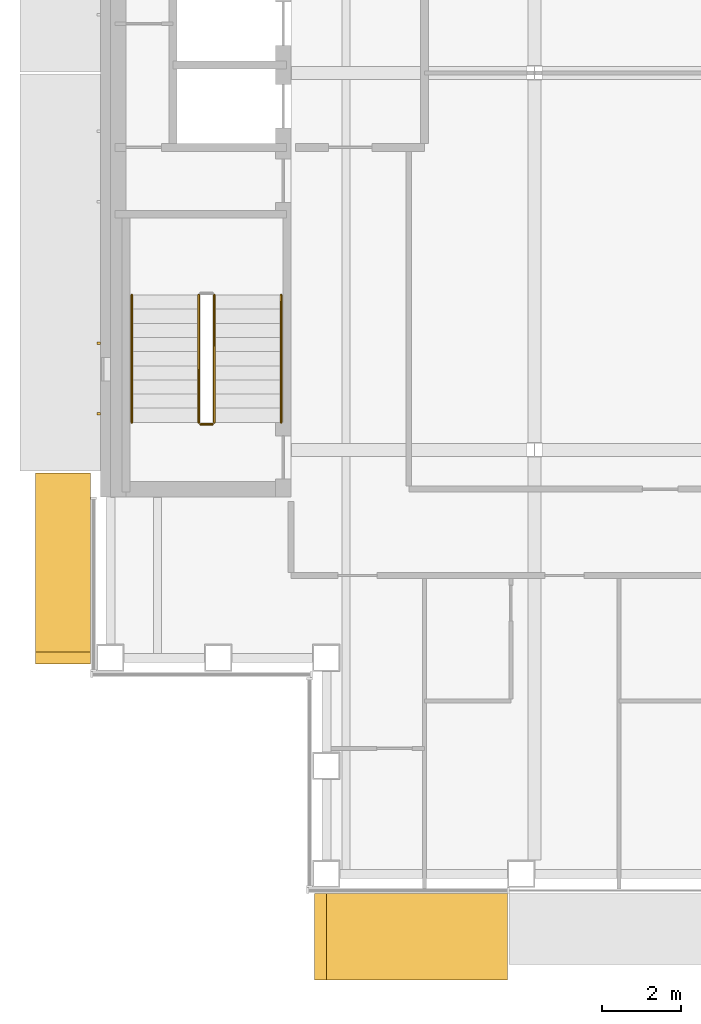
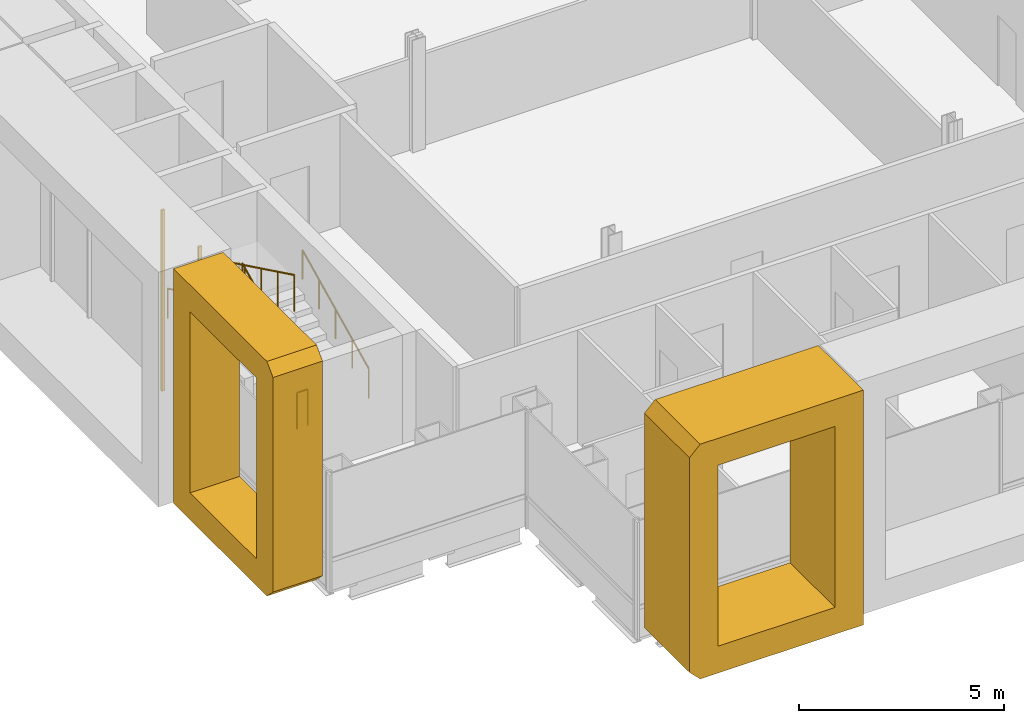
# One storey, part 13 of 19: 5 railings, 4 coverings.
"""IFC4 building model written with IfcOpenShell, lengths in metres."""

from ifc_helpers import new_model, si_unit, direction, frame, origin, origin_2d, place, context, subcontext, project, spatial, polyline, rectangle, circle, outline, extrude, material, type_object, element, save


model = new_model("IFC4")

# Units and contexts
model_context = context("Model", 3, precision=1e-05, world=origin(), true_north=direction((0.0, 1.0)))
body_context = subcontext(model_context, "Body", "Model", "MODEL_VIEW")
ifc_project = project(units=[si_unit("LENGTHUNIT", "METRE"), si_unit("AREAUNIT", "SQUARE_METRE"), si_unit("VOLUMEUNIT", "CUBIC_METRE"), si_unit("PLANEANGLEUNIT", "RADIAN"), si_unit("MASSUNIT", "GRAM", prefix="KILO")], contexts=[model_context])

# Site, building, storey
site_placement = place(None, origin())
site = spatial("IfcSite", under=ifc_project, at=site_placement, CompositionType="ELEMENT")
building_placement = place(site_placement, origin())
building = spatial("IfcBuilding", under=site, at=building_placement, Name="Cobrizo Arcos Hotel Tower", CompositionType="ELEMENT")
storey_placement = place(building_placement, frame((0.0, 0.0, 198.0)))
storey = spatial("IfcBuildingStorey", under=building, at=storey_placement, Name="L51", CompositionType="ELEMENT", Elevation=198.0)

# Coverings
ifc_material_1 = material(Name="Aluminium 6063-T6 anodised bronze", Category="aluminium")
covering_type_1 = type_object("IfcCoveringType", Name="FIN-F 1400", PredefinedType="CLADDING", material=ifc_material_1)
covering_1_placement = place(storey_placement, frame((-20.89990234375, -10.191650390625, 0.0), z_axis=(-1.0, 0.0, 0.0), x_axis=(0.0, -1.0, 0.0)))
element("IfcCovering", 1, at=covering_1_placement, inside=storey, type_object=covering_type_1, Name="Fin frame 348", PredefinedType="CLADDING", context=body_context, shape_type="SweptSolid", body=[
    extrude(outline(polyline([(0.0, 7.0), (0.0, 0.0), (4.558349609375, 0.0), (4.8583984375, 0.300048828125), (4.8583984375, 6.699951171875), (4.558349609375, 7.0), (0.0, 7.0)]), holes=[polyline([(4.058349609375, 0.800048828125), (0.800048828125, 0.800048828125), (0.800048828125, 6.199951171875), (4.058349609375, 6.199951171875), (4.058349609375, 0.800048828125)])]), origin(), (0.0, 0.0, 1.0), 1.400146484375),
])
covering_type_2 = type_object("IfcCoveringType", Name="FIN-F 2200", PredefinedType="CLADDING", material=ifc_material_1)
covering_2_placement = place(storey_placement, frame((-15.199951171875, -20.89990234375, 0.0), z_axis=(0.0, -1.0, 0.0), x_axis=(1.0, 0.0, 0.0)))
element("IfcCovering", 2, at=covering_2_placement, inside=storey, type_object=covering_type_2, Name="Fin frame 327", PredefinedType="CLADDING", context=body_context, shape_type="SweptSolid", body=[
    extrude(outline(polyline([(0.0, 0.300048828125), (0.300048828125, 0.0), (4.908203125, 0.0), (4.908203125, 7.0), (0.300048828125, 7.0), (0.0, 6.699951171875), (0.0, 0.300048828125)]), holes=[polyline([(4.1083984375, 0.800048828125), (0.800048828125, 0.800048828125), (0.800048828125, 6.199951171875), (4.1083984375, 6.199951171875), (4.1083984375, 0.800048828125)])]), origin(), (0.0, 0.0, 1.0), 2.2001953125),
])
ifc_material_2 = material(Name="Aluminium 6063-T6 anodised pale", Category="aluminium")
covering_type_3 = type_object("IfcCoveringType", Name="RS-1 rainscreen rib 60x90", PredefinedType="CLADDING", material=ifc_material_2)
for number, where, z_axis, x_axis, name in (
    (3, (-20.695068359375, -6.88330078125, 0.800048828125), (0.0, 0.0, 1.0), (0.0, -1.0, 0.0), "Rainscreen rib 223"),
    (4, (-20.695068359375, -8.683349609375, 0.800048828125), (0.0, 0.0, 1.0), (0.0, -1.0, 0.0), "Rainscreen rib 224"),
):
    element("IfcCovering", number, at=place(storey_placement, frame(where, z_axis=z_axis, x_axis=x_axis)), inside=storey, type_object=covering_type_3, Name=name, PredefinedType="CLADDING", context=body_context, shape_type="SweptSolid", body=[
        extrude(rectangle(XDim=0.06005859375, YDim=0.090087890625, at=origin_2d()), origin(), (0.0, 0.0, 1.0), 5.39990234375),
    ])

# Railings
ifc_material_3 = material(Name="Stainless steel railing", Category="steel")
railing_type_1 = type_object("IfcRailingType", Name="Stair guard 1100", PredefinedType="GUARDRAIL", material=ifc_material_3)
railing_1_placement = place(storey_placement, frame((-17.75, -8.89990234375, 0.175048828125)))
element("IfcRailing", 5, at=railing_1_placement, inside=storey, type_object=railing_type_1, Name="L51 ST-W stair guard 1", PredefinedType="GUARDRAIL", context=body_context, shape_type="SweptSolid", body=[
    extrude(circle(Radius=0.02392578125, at=origin_2d()), frame((0.0, 0.0, 1.076171875), z_axis=(0.0, 0.899372665325, 0.437182809435), x_axis=(-1.0, 0.0, 0.0)), (0.0, 0.0, 1.0), 3.6025390625),
    extrude(circle(Radius=0.02099609375, at=origin_2d()), origin(), (0.0, 0.0, 1.0), 1.052001953125),
    extrude(circle(Radius=0.02099609375, at=origin_2d()), frame((0.0, 0.81005859375, 0.393798828125)), (0.0, 0.0, 1.0), 1.052001953125),
    extrude(circle(Radius=0.02099609375, at=origin_2d()), frame((0.0, 1.6201171875, 0.78759765625)), (0.0, 0.0, 1.0), 1.052001953125),
    extrude(circle(Radius=0.02099609375, at=origin_2d()), frame((0.0, 2.429931640625, 1.18115234375)), (0.0, 0.0, 1.0), 1.052001953125),
    extrude(circle(Radius=0.02099609375, at=origin_2d()), frame((0.0, 3.239990234375, 1.574951171875)), (0.0, 0.0, 1.0), 1.052001953125),
])
railing_2_placement = place(storey_placement, frame((-18.14990234375, -5.659912109375, 1.925048828125)))
element("IfcRailing", 6, at=railing_2_placement, inside=storey, type_object=railing_type_1, Name="L51 ST-W stair guard 3", PredefinedType="GUARDRAIL", context=body_context, shape_type="SweptSolid", body=[
    extrude(circle(Radius=0.02392578125, at=origin_2d()), frame((0.0, 0.0, 1.076171875), z_axis=(0.0, -0.899372665325, 0.437182809435), x_axis=(1.0, 0.0, 0.0)), (0.0, 0.0, 1.0), 3.6025390625),
    extrude(circle(Radius=0.02099609375, at=origin_2d()), origin(), (0.0, 0.0, 1.0), 1.052001953125),
    extrude(circle(Radius=0.02099609375, at=origin_2d()), frame((0.0, -0.81005859375, 0.393798828125)), (0.0, 0.0, 1.0), 1.052001953125),
    extrude(circle(Radius=0.02099609375, at=origin_2d()), frame((0.0, -1.6201171875, 0.78759765625)), (0.0, 0.0, 1.0), 1.052001953125),
    extrude(circle(Radius=0.02099609375, at=origin_2d()), frame((0.0, -2.429931640625, 1.18115234375)), (0.0, 0.0, 1.0), 1.052001953125),
    extrude(circle(Radius=0.02099609375, at=origin_2d()), frame((0.0, -3.239990234375, 1.574951171875)), (0.0, 0.0, 1.0), 1.052001953125),
])
railing_3_placement = place(storey_placement, frame((-17.800048828125, -8.949951171875, 0.0)))
element("IfcRailing", 7, at=railing_3_placement, inside=storey, type_object=railing_type_1, Name="L51 ST-W stair guard 4", PredefinedType="GUARDRAIL", context=body_context, shape_type="SweptSolid", body=[
    extrude(circle(Radius=0.02392578125, at=origin_2d()), frame((0.0, 0.0, 1.076171875), z_axis=(-1.0, 0.0, 0.0), x_axis=(0.0, -1.0, 0.0)), (0.0, 0.0, 1.0), 0.300048828125),
    extrude(circle(Radius=0.02099609375, at=origin_2d()), origin(), (0.0, 0.0, 1.0), 1.052001953125),
    extrude(circle(Radius=0.02099609375, at=origin_2d()), frame((-0.300048828125, 0.0, 0.0)), (0.0, 0.0, 1.0), 1.052001953125),
])
railing_type_2 = type_object("IfcRailingType", Name="Stair handrail", PredefinedType="HANDRAIL", material=ifc_material_3)
railing_4_placement = place(storey_placement, frame((-16.050048828125, -8.89990234375, 0.175048828125)))
element("IfcRailing", 8, at=railing_4_placement, inside=storey, type_object=railing_type_2, Name="L51 ST-W stair handrail 1", PredefinedType="HANDRAIL", context=body_context, shape_type="SweptSolid", body=[
    extrude(circle(Radius=0.02392578125, at=origin_2d()), frame((0.0, 0.0, 0.8759765625), z_axis=(0.0, 0.899372665325, 0.437182809435), x_axis=(-1.0, 0.0, 0.0)), (0.0, 0.0, 1.0), 3.6025390625),
    extrude(circle(Radius=0.02099609375, at=origin_2d()), origin(), (0.0, 0.0, 1.0), 0.851806640625),
    extrude(circle(Radius=0.02099609375, at=origin_2d()), frame((0.0, 0.81005859375, 0.393798828125)), (0.0, 0.0, 1.0), 0.851806640625),
    extrude(circle(Radius=0.02099609375, at=origin_2d()), frame((0.0, 1.6201171875, 0.78759765625)), (0.0, 0.0, 1.0), 0.851806640625),
    extrude(circle(Radius=0.02099609375, at=origin_2d()), frame((0.0, 2.429931640625, 1.18115234375)), (0.0, 0.0, 1.0), 0.851806640625),
    extrude(circle(Radius=0.02099609375, at=origin_2d()), frame((0.0, 3.239990234375, 1.574951171875)), (0.0, 0.0, 1.0), 0.851806640625),
])
railing_5_placement = place(storey_placement, frame((-19.85009765625, -5.659912109375, 1.925048828125)))
element("IfcRailing", 9, at=railing_5_placement, inside=storey, type_object=railing_type_2, Name="L51 ST-W stair handrail 2", PredefinedType="HANDRAIL", context=body_context, shape_type="SweptSolid", body=[
    extrude(circle(Radius=0.02392578125, at=origin_2d()), frame((0.0, 0.0, 0.8759765625), z_axis=(0.0, -0.899372665325, 0.437182809435), x_axis=(1.0, 0.0, 0.0)), (0.0, 0.0, 1.0), 3.6025390625),
    extrude(circle(Radius=0.02099609375, at=origin_2d()), origin(), (0.0, 0.0, 1.0), 0.851806640625),
    extrude(circle(Radius=0.02099609375, at=origin_2d()), frame((0.0, -0.81005859375, 0.393798828125)), (0.0, 0.0, 1.0), 0.851806640625),
    extrude(circle(Radius=0.02099609375, at=origin_2d()), frame((0.0, -1.6201171875, 0.78759765625)), (0.0, 0.0, 1.0), 0.851806640625),
    extrude(circle(Radius=0.02099609375, at=origin_2d()), frame((0.0, -2.429931640625, 1.18115234375)), (0.0, 0.0, 1.0), 0.851806640625),
    extrude(circle(Radius=0.02099609375, at=origin_2d()), frame((0.0, -3.239990234375, 1.574951171875)), (0.0, 0.0, 1.0), 0.851806640625),
])

save(model, "model.ifc")
